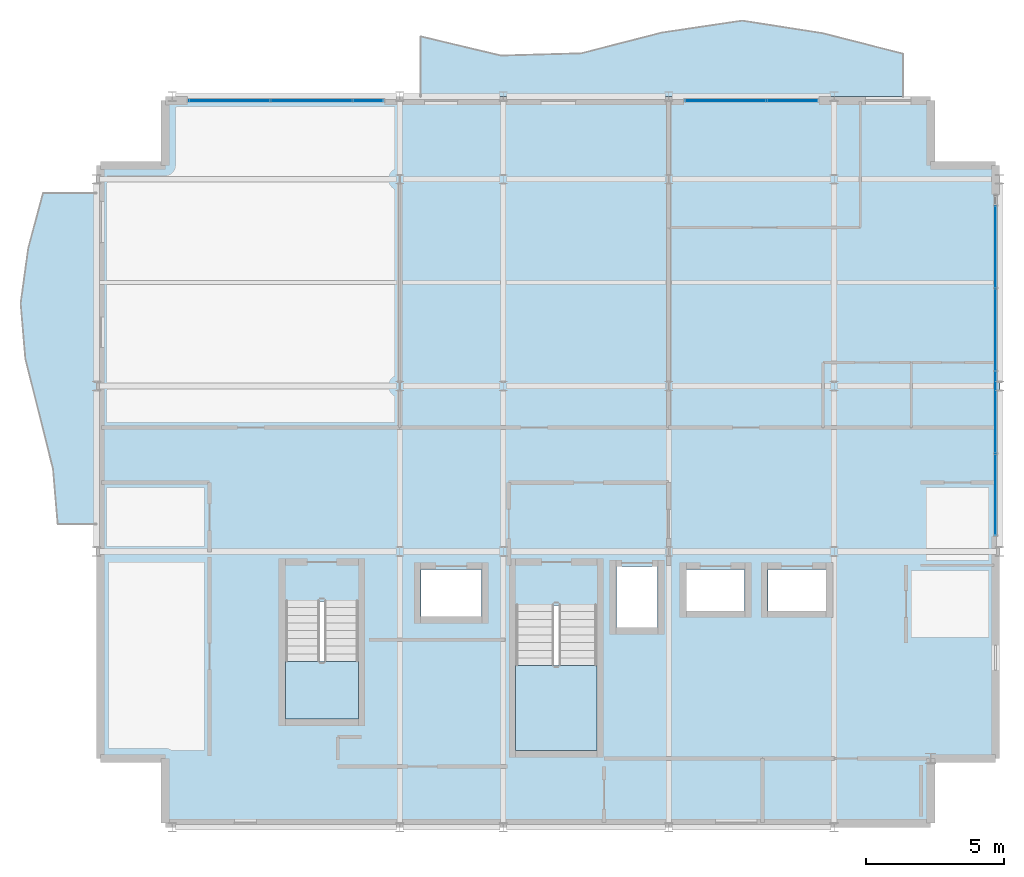
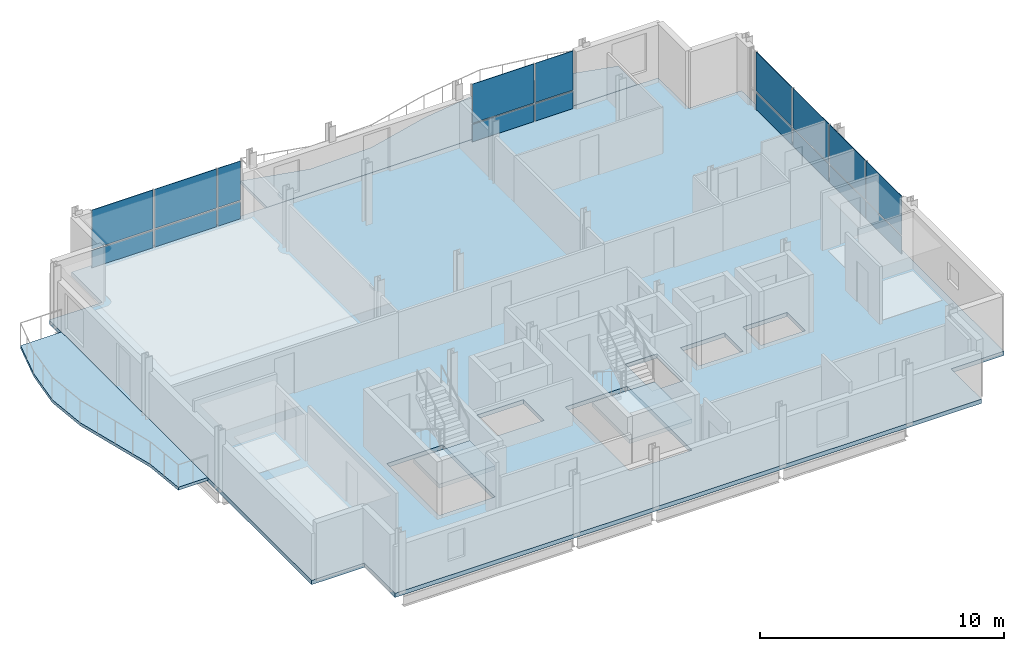
# One storey, part 6 of 12: 18 plates, 5 slabs, 5 elements without a shape of their own.
"""IFC4 building model written with IfcOpenShell, lengths in metres."""

from ifc_helpers import new_model, si_unit, direction, frame, origin, origin_2d, place, context, subcontext, project, spatial, polyline, rectangle, outline, extrude, material, layer, layer_set, type_object, element, aggregate, save


model = new_model("IFC4")

# Units and contexts
model_context = context("Model", 3, precision=1e-05, world=origin(), true_north=direction((0.0, 1.0)))
body_context = subcontext(model_context, "Body", "Model", "MODEL_VIEW")
ifc_project = project(units=[si_unit("LENGTHUNIT", "METRE"), si_unit("AREAUNIT", "SQUARE_METRE"), si_unit("VOLUMEUNIT", "CUBIC_METRE"), si_unit("PLANEANGLEUNIT", "RADIAN"), si_unit("MASSUNIT", "GRAM", prefix="KILO")], contexts=[model_context])

# Site, building, storey
site_placement = place(None, origin())
site = spatial("IfcSite", under=ifc_project, at=site_placement, CompositionType="ELEMENT")
building_placement = place(site_placement, origin())
building = spatial("IfcBuilding", under=site, at=building_placement, Name="Brevholm Reach", CompositionType="ELEMENT")
storey_placement = place(building_placement, frame((0.0, 0.0, 233.5)))
storey = spatial("IfcBuildingStorey", under=building, at=storey_placement, Name="L71", CompositionType="ELEMENT", Elevation=233.5)

# Curtain wall, plates
ifc_material_1 = material(Name="Dark Anodised Aluminium 6063-T6 and Solar-Control Glass", Category="aluminium")
ifc_layer_1 = layer(ifc_material_1, 0.14990234375)
ifc_layer_set_1 = layer_set([ifc_layer_1], Name="Dark Anodised Aluminium 6063-T6 and Solar-Control Glass")
curtain_wall_type = type_object("IfcCurtainWallType", Name="CW-01", PredefinedType="NOTDEFINED", material=ifc_layer_set_1)
curtain_wall_1_placement = place(storey_placement, origin())
curtain_wall_1 = element("IfcCurtainWall", 1, at=curtain_wall_1_placement, inside=storey, type_object=curtain_wall_type, Name="L71 Curtain Wall CW-01", PredefinedType="NOTDEFINED")
ifc_material_2 = material(Name="Dark Solar-Control Double-Glazed IGU Glass", Category="glass")
ifc_layer_2 = layer(ifc_material_2, 0.028076171875)
ifc_layer_set_2 = layer_set([ifc_layer_2], Name="Dark Solar-Control Double-Glazed IGU Glass")
plate_type = type_object("IfcPlateType", Name="CWP-GLZ-28", PredefinedType="CURTAIN_PANEL", material=ifc_layer_set_2)
plate_1_placement = place(storey_placement, frame((59.85009765625, 12.066162109375, 0.0), z_axis=(0.0, 0.0, 1.0), x_axis=(0.0, 1.0, 0.0)))
plate_1 = element("IfcPlate", 2, at=plate_1_placement, type_object=plate_type, Name="CP-01 Glazing Panel 1.1", PredefinedType="CURTAIN_PANEL", context=body_context, shape_type="SweptSolid", body=[
    extrude(rectangle(XDim=2.902587890625, YDim=0.028076171875, at=origin_2d()), origin(), (0.0, 0.0, 1.0), 0.867431640625),
])
plate_2_placement = place(storey_placement, frame((59.85009765625, 12.066162109375, 0.932373046875), z_axis=(0.0, 0.0, 1.0), x_axis=(0.0, 1.0, 0.0)))
plate_2 = element("IfcPlate", 3, at=plate_2_placement, type_object=plate_type, Name="CP-01 Glazing Panel 1.2", PredefinedType="CURTAIN_PANEL", context=body_context, shape_type="SweptSolid", body=[
    extrude(rectangle(XDim=2.902587890625, YDim=0.028076171875, at=origin_2d()), origin(), (0.0, 0.0, 1.0), 1.95751953125),
])
plate_3_placement = place(storey_placement, frame((59.85009765625, 15.050048828125, 0.0), z_axis=(0.0, 0.0, 1.0), x_axis=(0.0, 1.0, 0.0)))
plate_3 = element("IfcPlate", 4, at=plate_3_placement, type_object=plate_type, Name="CP-01 Glazing Panel 2.1", PredefinedType="CURTAIN_PANEL", context=body_context, shape_type="SweptSolid", body=[
    extrude(rectangle(XDim=2.93505859375, YDim=0.028076171875, at=origin_2d()), origin(), (0.0, 0.0, 1.0), 0.867431640625),
])
plate_4_placement = place(storey_placement, frame((59.85009765625, 15.050048828125, 0.932373046875), z_axis=(0.0, 0.0, 1.0), x_axis=(0.0, 1.0, 0.0)))
plate_4 = element("IfcPlate", 5, at=plate_4_placement, type_object=plate_type, Name="CP-01 Glazing Panel 2.2", PredefinedType="CURTAIN_PANEL", context=body_context, shape_type="SweptSolid", body=[
    extrude(rectangle(XDim=2.93505859375, YDim=0.028076171875, at=origin_2d()), origin(), (0.0, 0.0, 1.0), 1.95751953125),
])
plate_5_placement = place(storey_placement, frame((59.85009765625, 18.050048828125, 0.0), z_axis=(0.0, 0.0, 1.0), x_axis=(0.0, 1.0, 0.0)))
plate_5 = element("IfcPlate", 6, at=plate_5_placement, type_object=plate_type, Name="CP-01 Glazing Panel 3.1", PredefinedType="CURTAIN_PANEL", context=body_context, shape_type="SweptSolid", body=[
    extrude(rectangle(XDim=2.93505859375, YDim=0.028076171875, at=origin_2d()), origin(), (0.0, 0.0, 1.0), 0.867431640625),
])
plate_6_placement = place(storey_placement, frame((59.85009765625, 18.050048828125, 0.932373046875), z_axis=(0.0, 0.0, 1.0), x_axis=(0.0, 1.0, 0.0)))
plate_6 = element("IfcPlate", 7, at=plate_6_placement, type_object=plate_type, Name="CP-01 Glazing Panel 3.2", PredefinedType="CURTAIN_PANEL", context=body_context, shape_type="SweptSolid", body=[
    extrude(rectangle(XDim=2.93505859375, YDim=0.028076171875, at=origin_2d()), origin(), (0.0, 0.0, 1.0), 1.95751953125),
])
plate_7_placement = place(storey_placement, frame((59.85009765625, 21.050048828125, 0.0), z_axis=(0.0, 0.0, 1.0), x_axis=(0.0, 1.0, 0.0)))
plate_7 = element("IfcPlate", 8, at=plate_7_placement, type_object=plate_type, Name="CP-01 Glazing Panel 4.1", PredefinedType="CURTAIN_PANEL", context=body_context, shape_type="SweptSolid", body=[
    extrude(rectangle(XDim=2.93505859375, YDim=0.028076171875, at=origin_2d()), origin(), (0.0, 0.0, 1.0), 0.867431640625),
])
plate_8_placement = place(storey_placement, frame((59.85009765625, 21.050048828125, 0.932373046875), z_axis=(0.0, 0.0, 1.0), x_axis=(0.0, 1.0, 0.0)))
plate_8 = element("IfcPlate", 9, at=plate_8_placement, type_object=plate_type, Name="CP-01 Glazing Panel 4.2", PredefinedType="CURTAIN_PANEL", context=body_context, shape_type="SweptSolid", body=[
    extrude(rectangle(XDim=2.93505859375, YDim=0.028076171875, at=origin_2d()), origin(), (0.0, 0.0, 1.0), 1.95751953125),
])
aggregate(curtain_wall_1, [plate_1, plate_2, plate_3, plate_4, plate_5, plate_6, plate_7, plate_8])

curtain_wall_2_placement = place(storey_placement, origin())
curtain_wall_2 = element("IfcCurtainWall", 10, at=curtain_wall_2_placement, inside=storey, type_object=curtain_wall_type, Name="L71 Curtain Wall CW-01", PredefinedType="NOTDEFINED")
plate_9_placement = place(storey_placement, frame((32.066162109375, 26.35009765625, 0.0), z_axis=(0.0, 0.0, 1.0), x_axis=(1.0, 0.0, 0.0)))
plate_9 = element("IfcPlate", 11, at=plate_9_placement, type_object=plate_type, Name="CP-01 Glazing Panel 1.1", PredefinedType="CURTAIN_PANEL", context=body_context, shape_type="SweptSolid", body=[
    extrude(rectangle(XDim=2.902587890625, YDim=0.028076171875, at=origin_2d()), origin(), (0.0, 0.0, 1.0), 0.867431640625),
])
plate_10_placement = place(storey_placement, frame((32.066162109375, 26.35009765625, 0.932373046875), z_axis=(0.0, 0.0, 1.0), x_axis=(1.0, 0.0, 0.0)))
plate_10 = element("IfcPlate", 12, at=plate_10_placement, type_object=plate_type, Name="CP-01 Glazing Panel 1.2", PredefinedType="CURTAIN_PANEL", context=body_context, shape_type="SweptSolid", body=[
    extrude(rectangle(XDim=2.902587890625, YDim=0.028076171875, at=origin_2d()), origin(), (0.0, 0.0, 1.0), 1.95751953125),
])
plate_11_placement = place(storey_placement, frame((35.050048828125, 26.35009765625, 0.0), z_axis=(0.0, 0.0, 1.0), x_axis=(1.0, 0.0, 0.0)))
plate_11 = element("IfcPlate", 13, at=plate_11_placement, type_object=plate_type, Name="CP-01 Glazing Panel 2.1", PredefinedType="CURTAIN_PANEL", context=body_context, shape_type="SweptSolid", body=[
    extrude(rectangle(XDim=2.93505859375, YDim=0.028076171875, at=origin_2d()), origin(), (0.0, 0.0, 1.0), 0.867431640625),
])
plate_12_placement = place(storey_placement, frame((35.050048828125, 26.35009765625, 0.932373046875), z_axis=(0.0, 0.0, 1.0), x_axis=(1.0, 0.0, 0.0)))
plate_12 = element("IfcPlate", 14, at=plate_12_placement, type_object=plate_type, Name="CP-01 Glazing Panel 2.2", PredefinedType="CURTAIN_PANEL", context=body_context, shape_type="SweptSolid", body=[
    extrude(rectangle(XDim=2.93505859375, YDim=0.028076171875, at=origin_2d()), origin(), (0.0, 0.0, 1.0), 1.95751953125),
])
plate_13_placement = place(storey_placement, frame((37.108642578125, 26.35009765625, 0.0), z_axis=(0.0, 0.0, 1.0), x_axis=(1.0, 0.0, 0.0)))
plate_13 = element("IfcPlate", 15, at=plate_13_placement, type_object=plate_type, Name="CP-01 Glazing Panel 3.1", PredefinedType="CURTAIN_PANEL", context=body_context, shape_type="SweptSolid", body=[
    extrude(rectangle(XDim=1.052490234375, YDim=0.028076171875, at=origin_2d()), origin(), (0.0, 0.0, 1.0), 0.867431640625),
])
plate_14_placement = place(storey_placement, frame((37.108642578125, 26.35009765625, 0.932373046875), z_axis=(0.0, 0.0, 1.0), x_axis=(1.0, 0.0, 0.0)))
plate_14 = element("IfcPlate", 16, at=plate_14_placement, type_object=plate_type, Name="CP-01 Glazing Panel 3.2", PredefinedType="CURTAIN_PANEL", context=body_context, shape_type="SweptSolid", body=[
    extrude(rectangle(XDim=1.052490234375, YDim=0.028076171875, at=origin_2d()), origin(), (0.0, 0.0, 1.0), 1.95751953125),
])
aggregate(curtain_wall_2, [plate_9, plate_10, plate_11, plate_12, plate_13, plate_14])

curtain_wall_3_placement = place(storey_placement, origin())
curtain_wall_3 = element("IfcCurtainWall", 17, at=curtain_wall_3_placement, inside=storey, type_object=curtain_wall_type, Name="L71 Curtain Wall CW-01", PredefinedType="NOTDEFINED")
plate_15_placement = place(storey_placement, frame((50.066162109375, 26.35009765625, 0.0), z_axis=(0.0, 0.0, 1.0), x_axis=(1.0, 0.0, 0.0)))
plate_15 = element("IfcPlate", 18, at=plate_15_placement, type_object=plate_type, Name="CP-01 Glazing Panel 1.1", PredefinedType="CURTAIN_PANEL", context=body_context, shape_type="SweptSolid", body=[
    extrude(rectangle(XDim=2.902587890625, YDim=0.028076171875, at=origin_2d()), origin(), (0.0, 0.0, 1.0), 0.867431640625),
])
plate_16_placement = place(storey_placement, frame((50.066162109375, 26.35009765625, 0.932373046875), z_axis=(0.0, 0.0, 1.0), x_axis=(1.0, 0.0, 0.0)))
plate_16 = element("IfcPlate", 19, at=plate_16_placement, type_object=plate_type, Name="CP-01 Glazing Panel 1.2", PredefinedType="CURTAIN_PANEL", context=body_context, shape_type="SweptSolid", body=[
    extrude(rectangle(XDim=2.902587890625, YDim=0.028076171875, at=origin_2d()), origin(), (0.0, 0.0, 1.0), 1.95751953125),
])
plate_17_placement = place(storey_placement, frame((52.483642578125, 26.35009765625, 0.0), z_axis=(0.0, 0.0, 1.0), x_axis=(1.0, 0.0, 0.0)))
plate_17 = element("IfcPlate", 20, at=plate_17_placement, type_object=plate_type, Name="CP-01 Glazing Panel 2.1", PredefinedType="CURTAIN_PANEL", context=body_context, shape_type="SweptSolid", body=[
    extrude(rectangle(XDim=1.802490234375, YDim=0.028076171875, at=origin_2d()), origin(), (0.0, 0.0, 1.0), 0.867431640625),
])
plate_18_placement = place(storey_placement, frame((52.483642578125, 26.35009765625, 0.932373046875), z_axis=(0.0, 0.0, 1.0), x_axis=(1.0, 0.0, 0.0)))
plate_18 = element("IfcPlate", 21, at=plate_18_placement, type_object=plate_type, Name="CP-01 Glazing Panel 2.2", PredefinedType="CURTAIN_PANEL", context=body_context, shape_type="SweptSolid", body=[
    extrude(rectangle(XDim=1.802490234375, YDim=0.028076171875, at=origin_2d()), origin(), (0.0, 0.0, 1.0), 1.95751953125),
])
aggregate(curtain_wall_3, [plate_15, plate_16, plate_17, plate_18])

# Slabs
ifc_material_3 = material(Name="Precast Concrete C45/55", Category="concrete")
ifc_layer_3 = layer(ifc_material_3, 0.14990234375)
ifc_layer_set_3 = layer_set([ifc_layer_3], Name="Precast Concrete C45/55")
slab_type_1 = type_object("IfcSlabType", Name="SLB-BAL-150", PredefinedType="FLOOR", material=ifc_layer_set_3)
slab_1_placement = place(storey_placement, frame((0.0, 0.0, -0.14990234375)))
element("IfcSlab", 22, at=slab_1_placement, inside=storey, type_object=slab_type_1, Name="L71 Rippling External Balcony NE", PredefinedType="FLOOR", context=body_context, shape_type="SweptSolid", body=[
    extrude(outline(polyline([(39.0, 26.5), (56.5, 26.5), (56.5, 28.05029296875), (53.583251953125, 28.794921875), (50.666748046875, 29.25), (47.75, 28.81689453125), (44.833251953125, 28.065673828125), (41.916748046875, 27.984619140625), (39.0, 28.6806640625), (39.0, 26.5)])), origin(), (0.0, 0.0, 1.0), 0.14990234375),
])
slab_2_placement = place(storey_placement, frame((0.0, 0.0, -0.14990234375)))
element("IfcSlab", 23, at=slab_2_placement, inside=storey, type_object=slab_type_1, Name="L71 Rippling External Balcony SLOT", PredefinedType="FLOOR", context=body_context, shape_type="SweptSolid", body=[
    extrude(outline(polyline([(27.25, 11.0), (27.25, 23.0), (25.315185546875, 23.0), (24.7783203125, 21.0), (24.503662109375, 19.0), (24.67333984375, 17.0), (25.175048828125, 15.0), (25.676513671875, 13.0), (25.84619140625, 11.0), (27.25, 11.0)])), origin(), (0.0, 0.0, 1.0), 0.14990234375),
])
ifc_material_4 = material(Name="Concrete C40/50", Category="concrete")
ifc_layer_4 = layer(ifc_material_4, 0.2099609375)
ifc_layer_set_4 = layer_set([ifc_layer_4], Name="Concrete C40/50")
slab_type_2 = type_object("IfcSlabType", Name="SLB-FL-210", PredefinedType="FLOOR", material=ifc_layer_set_4)
slab_3_placement = place(storey_placement, frame((0.0, 0.0, -0.2099609375)))
element("IfcSlab", 24, at=slab_3_placement, inside=storey, type_object=slab_type_2, Name="L71 Suspended Floor Slab (east-tower)", PredefinedType="FLOOR", context=body_context, shape_type="SweptSolid", body=[
    extrude(outline(polyline([(29.75, 0.0), (57.5, 0.0), (57.5, 2.5), (60.0, 2.5), (60.0, 24.0), (57.5, 24.0), (57.5, 26.5), (29.75, 26.5), (29.75, 24.0), (27.25, 24.0), (27.25, 2.5), (29.75, 2.5), (29.75, 0.0)]), holes=[polyline([(42.449951171875, 2.780029296875), (45.39990234375, 2.780029296875), (45.39990234375, 8.044921875), (42.449951171875, 8.044921875), (42.449951171875, 2.780029296875)]), polyline([(34.10009765625, 3.919921875), (36.75, 3.919921875), (36.75, 8.195068359375), (34.10009765625, 8.195068359375), (34.10009765625, 3.919921875)]), polyline([(46.10009765625, 7.25), (47.60009765625, 7.25), (47.60009765625, 9.449951171875), (46.10009765625, 9.449951171875), (46.10009765625, 7.25)]), polyline([(39.02001953125, 7.64990234375), (41.219970703125, 7.64990234375), (41.219970703125, 9.35009765625), (39.02001953125, 9.35009765625), (39.02001953125, 7.64990234375)]), polyline([(48.64990234375, 7.85009765625), (50.75, 7.85009765625), (50.75, 9.35009765625), (48.64990234375, 9.35009765625), (48.64990234375, 7.85009765625)]), polyline([(51.60009765625, 7.85009765625), (53.699951171875, 7.85009765625), (53.699951171875, 9.35009765625), (51.60009765625, 9.35009765625), (51.60009765625, 7.85009765625)])]), origin(), (0.0, 0.0, 1.0), 0.2099609375),
])

# Stair, slab
ifc_material_5 = material(Name="Precast Concrete C40/50", Category="concrete")
stair_type_1 = type_object("IfcStairType", Name="STR-ESC-1400", PredefinedType="DOUBLE_RETURN_STAIR", material=ifc_material_5)
stair_1_placement = place(storey_placement, origin())
stair_1 = element("IfcStair", 25, at=stair_1_placement, inside=storey, type_object=stair_type_1, Name="L71 ST-2", PredefinedType="DOUBLE_RETURN_STAIR")
ifc_material_6 = material(Name="Concrete C40/50", Category="concrete")
ifc_layer_5 = layer(ifc_material_6, 0.199951171875)
ifc_layer_set_5 = layer_set([ifc_layer_5], Name="Concrete C40/50")
slab_type_3 = type_object("IfcSlabType", Name="SLB-LND-200", PredefinedType="LANDING", material=ifc_layer_set_5)
slab_4_placement = place(storey_placement, frame((0.0, 0.0, 1.35009765625)))
slab_4 = element("IfcSlab", 26, at=slab_4_placement, type_object=slab_type_3, Name="ST-2 landing 1", PredefinedType="LANDING", context=body_context, shape_type="SweptSolid", body=[
    extrude(outline(polyline([(42.449951171875, 5.860107421875), (42.449951171875, 2.780029296875), (45.39990234375, 2.780029296875), (45.39990234375, 5.860107421875), (42.449951171875, 5.860107421875)])), origin(), (0.0, 0.0, 1.0), 0.199951171875),
])
aggregate(stair_1, [slab_4])

ifc_material_7 = material(Name="Precast Concrete C40/50", Category="concrete")
stair_type_2 = type_object("IfcStairType", Name="STR-ESC-1250", PredefinedType="DOUBLE_RETURN_STAIR", material=ifc_material_7)
stair_2_placement = place(storey_placement, origin())
stair_2 = element("IfcStair", 27, at=stair_2_placement, inside=storey, type_object=stair_type_2, Name="L71 ST-3", PredefinedType="DOUBLE_RETURN_STAIR")
slab_5_placement = place(storey_placement, frame((0.0, 0.0, 1.35009765625)))
slab_5 = element("IfcSlab", 28, at=slab_5_placement, type_object=slab_type_3, Name="ST-3 landing 1", PredefinedType="LANDING", context=body_context, shape_type="SweptSolid", body=[
    extrude(outline(polyline([(34.10009765625, 6.010009765625), (34.10009765625, 3.919921875), (36.75, 3.919921875), (36.75, 6.010009765625), (34.10009765625, 6.010009765625)])), origin(), (0.0, 0.0, 1.0), 0.199951171875),
])
aggregate(stair_2, [slab_5])

save(model, "model.ifc")
